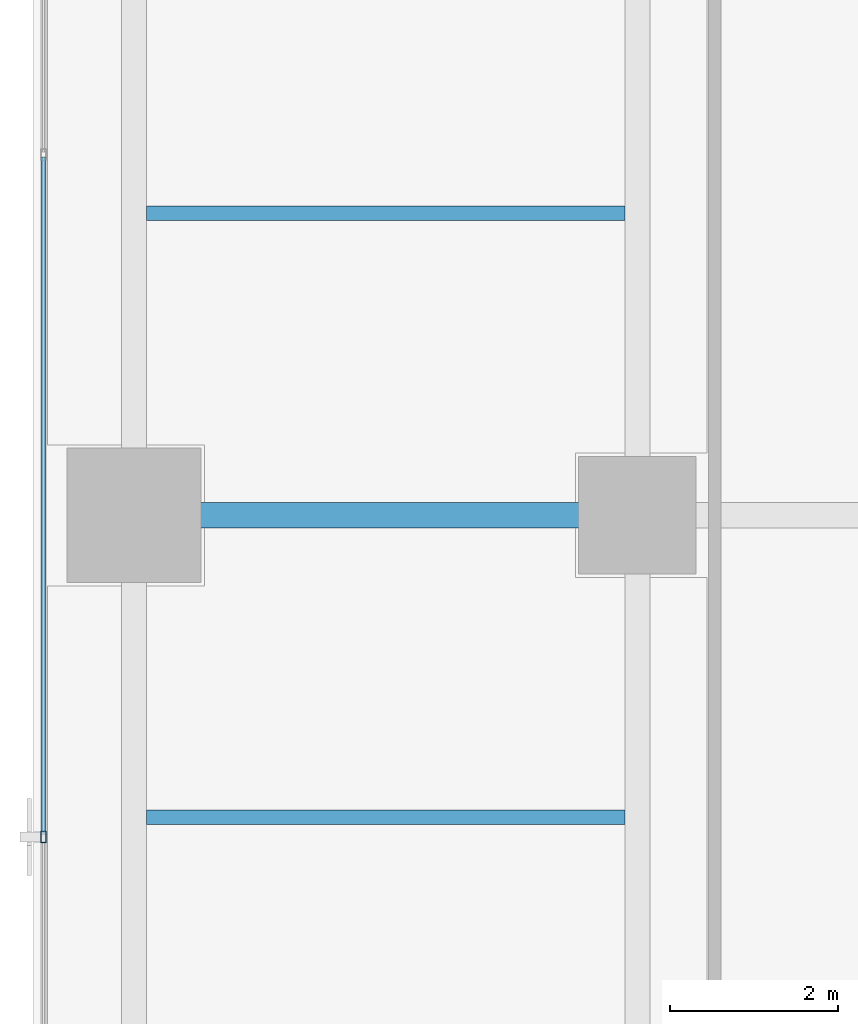
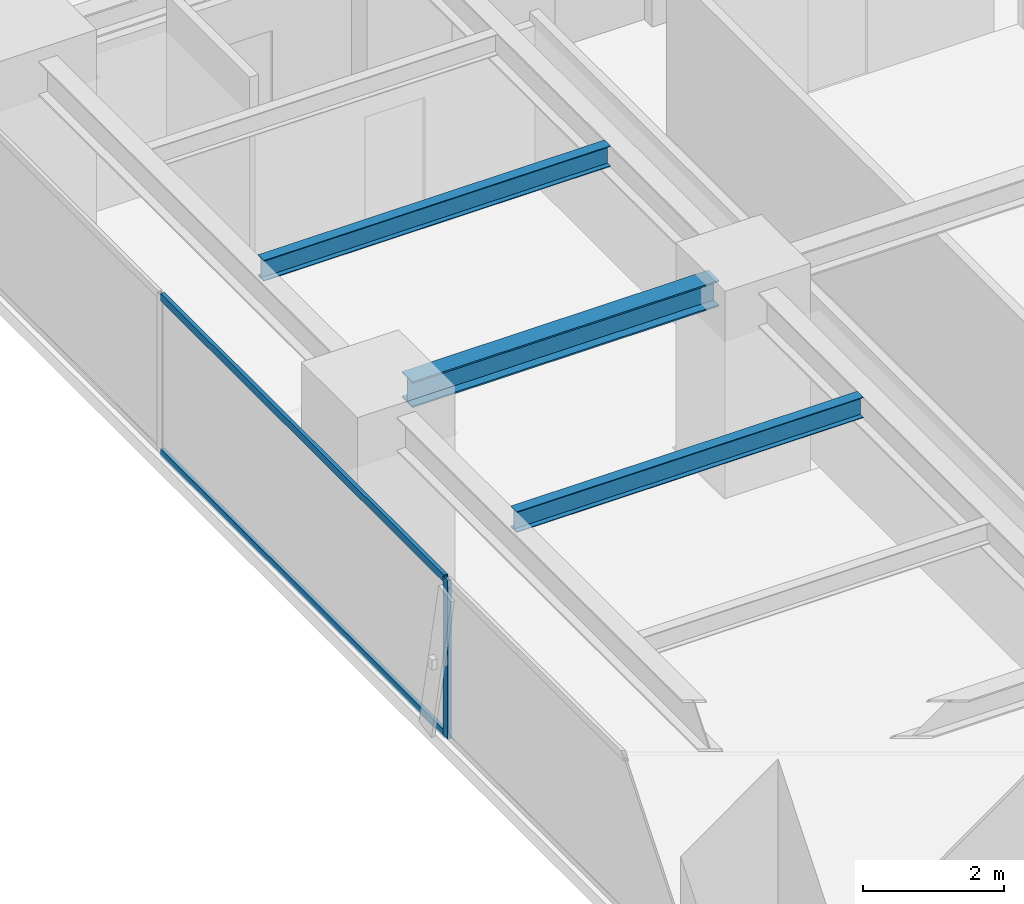
# One storey, part 4 of 29: 3 beams, 3 members, 1 element without a shape of its own.
"""IFC4 building model written with IfcOpenShell, lengths in metres."""

from ifc_helpers import new_model, si_unit, direction, frame, origin, origin_2d, place, context, subcontext, project, spatial, hollow_rectangle, i_section, extrude, source, transform, mapped, material, layer, layer_set, material_profile, profile_set, type_object, element, aggregate, save


model = new_model("IFC4")

# Units and contexts
model_context = context("Model", 3, precision=1e-05, world=origin(), true_north=direction((0.0, 1.0)))
body_context = subcontext(model_context, "Body", "Model", "MODEL_VIEW")
ifc_project = project(units=[si_unit("LENGTHUNIT", "METRE"), si_unit("AREAUNIT", "SQUARE_METRE"), si_unit("VOLUMEUNIT", "CUBIC_METRE"), si_unit("PLANEANGLEUNIT", "RADIAN"), si_unit("MASSUNIT", "GRAM", prefix="KILO")], contexts=[model_context])

# Site, building, storey
site_placement = place(None, origin())
site = spatial("IfcSite", under=ifc_project, at=site_placement, CompositionType="ELEMENT")
building_placement = place(site_placement, origin())
building = spatial("IfcBuilding", under=site, at=building_placement, Name="Sumidabori Civic Tower", CompositionType="ELEMENT")
storey_placement = place(building_placement, frame((0.0, 0.0, 214.39990234375)))
storey = spatial("IfcBuildingStorey", under=building, at=storey_placement, Name="L55", CompositionType="ELEMENT", Elevation=214.39990234375)

# Beams
ifc_material_1 = material(Name="Steel SN490", Category="steel")
ifc_material_profile_1 = material_profile(ifc_material_1, i_section(OverallWidth=0.169921875, OverallDepth=0.360107421875, WebThickness=0.008056640625, FlangeThickness=0.0126953125, at=origin_2d()), Name="IPE 360")
ifc_profile_set_1 = profile_set([ifc_material_profile_1], Name="Steel SN490")
beam_type_1 = type_object("IfcBeamType", Name="BM-JST-360", PredefinedType="JOIST", material=ifc_profile_set_1)
shared_shape_1 = source(origin(), body_context, "Body", "SweptSolid", [
    extrude(i_section(OverallWidth=0.169921875, OverallDepth=0.360107421875, WebThickness=0.008056640625, FlangeThickness=0.0126953125, at=origin_2d()), origin(), (0.0, 0.0, 1.0), 5.699951171875),
])
for number, where, z_axis, x_axis, name in (
    (1, (-22.64990234375, -3.60009765625, 3.2001953125), (1.0, 0.0, 0.0), (0.0, 1.0, 0.0), "Outer Bay Floor Joist L55 JSTO-27"),
    (2, (-22.64990234375, 3.60009765625, 3.2001953125), (1.0, 0.0, 0.0), (0.0, 1.0, 0.0), "Outer Bay Floor Joist L55 JSTO-29"),
):
    element("IfcBeam", number, at=place(storey_placement, frame(where, z_axis=z_axis, x_axis=x_axis)), inside=storey, type_object=beam_type_1, Name=name, PredefinedType="JOIST", context=body_context, shape_type="MappedRepresentation", body=[
        mapped(shared_shape_1, transform((0.0, 0.0, 0.0), x_axis=(1.0, 0.0, 0.0), y_axis=(0.0, 1.0, 0.0), z_axis=(0.0, 0.0, 1.0), scale=1.0)),
    ])
ifc_material_profile_2 = material_profile(ifc_material_1, i_section(OverallWidth=0.300048828125, OverallDepth=0.449951171875, WebThickness=0.013916015625, FlangeThickness=0.02587890625, at=origin_2d()), Name="HE 450 B")
ifc_profile_set_2 = profile_set([ifc_material_profile_2], Name="Steel SN490")
beam_type_2 = type_object("IfcBeamType", Name="BM-GIRD-450", PredefinedType="BEAM", material=ifc_profile_set_2)
shared_shape_2 = source(origin(), body_context, "Body", "SweptSolid", [
    extrude(i_section(OverallWidth=0.300048828125, OverallDepth=0.449951171875, WebThickness=0.013916015625, FlangeThickness=0.02587890625, at=origin_2d()), origin(), (0.0, 0.0, 1.0), 5.0400390625),
])
beam_placement = place(storey_placement, frame((-22.320068359375, 0.0, 3.155029296875), z_axis=(1.0, 0.0, 0.0), x_axis=(0.0, 1.0, 0.0)))
element("IfcBeam", 3, at=beam_placement, inside=storey, type_object=beam_type_2, Name="Primary Girder L55 GX-05", PredefinedType="BEAM", context=body_context, shape_type="MappedRepresentation", body=[
    mapped(shared_shape_2, transform((0.0, 0.0, 0.0), x_axis=(1.0, 0.0, 0.0), y_axis=(0.0, 1.0, 0.0), z_axis=(0.0, 0.0, 1.0), scale=1.0)),
])

# Curtain wall, members
ifc_material_2 = material(Name="Anodised Bronze Aluminium AW-6063-T6", Category="aluminium")
ifc_layer = layer(ifc_material_2, 0.179931640625, Name="Anodised Bronze Aluminium AW-6063-T6")
ifc_layer_set = layer_set([ifc_layer], Name="Anodised Bronze Aluminium AW-6063-T6")
curtain_wall_type = type_object("IfcCurtainWallType", Name="CW-SYS-5", PredefinedType="NOTDEFINED", material=ifc_layer_set)
curtain_wall_placement = place(storey_placement, origin())
curtain_wall = element("IfcCurtainWall", 4, at=curtain_wall_placement, inside=storey, type_object=curtain_wall_type, Name="Curtain Wall CW:L55:R16", PredefinedType="NOTDEFINED")
ifc_material_profile_3 = material_profile(ifc_material_2, hollow_rectangle(XDim=0.06005859375, YDim=0.139892578125, WallThickness=0.0048828125, at=origin_2d()), Name="ALU MULLION 140x60")
ifc_profile_set_3 = profile_set([ifc_material_profile_3], Name="Anodised Bronze Aluminium AW-6063-T6")
member_type_1 = type_object("IfcMemberType", Name="CW-MUL-140", PredefinedType="MULLION", material=ifc_profile_set_3)
shared_shape_3 = source(origin(), body_context, "Body", "SweptSolid", [
    extrude(hollow_rectangle(XDim=0.06005859375, YDim=0.139892578125, WallThickness=0.0048828125, at=origin_2d()), origin(), (0.0, 0.0, 1.0), 2.760009765625),
])
member_1_placement = place(storey_placement, frame((-23.8798828125, -3.8349609375, 0.0), z_axis=(0.0, 0.0, 1.0), x_axis=(1.0, 0.0, 0.0)))
member_1 = element("IfcMember", 5, at=member_1_placement, type_object=member_type_1, Name="CW-5 mullion 4", PredefinedType="MULLION", context=body_context, shape_type="MappedRepresentation", body=[
    mapped(shared_shape_3, transform((0.0, 0.0, 0.0), x_axis=(1.0, 0.0, 0.0), y_axis=(0.0, 1.0, 0.0), z_axis=(0.0, 0.0, 1.0), scale=1.0)),
])
ifc_material_profile_4 = material_profile(ifc_material_2, hollow_rectangle(XDim=0.06005859375, YDim=0.1298828125, WallThickness=0.0048828125, at=origin_2d()), Name="ALU TRANSOM 130x60")
ifc_profile_set_4 = profile_set([ifc_material_profile_4], Name="Anodised Bronze Aluminium AW-6063-T6")
member_type_2 = type_object("IfcMemberType", Name="CW-TRN-130", PredefinedType="USERDEFINED", material=ifc_profile_set_4)
shared_shape_4 = source(origin(), body_context, "Body", "SweptSolid", [
    extrude(hollow_rectangle(XDim=0.06005859375, YDim=0.1298828125, WallThickness=0.0048828125, at=origin_2d()), origin(), (0.0, 0.0, 1.0), 8.074951171875),
])
member_2_placement = place(storey_placement, frame((-23.8798828125, 4.27001953125, 0.030029296875), z_axis=(0.0, -1.0, 0.0), x_axis=(1.0, 0.0, 0.0)))
member_2 = element("IfcMember", 6, at=member_2_placement, type_object=member_type_2, Name="CW-5 transom 3.1", ObjectType="TRANSOM", PredefinedType="USERDEFINED", context=body_context, shape_type="MappedRepresentation", body=[
    mapped(shared_shape_4, transform((0.0, 0.0, 0.0), x_axis=(1.0, 0.0, 0.0), y_axis=(0.0, 1.0, 0.0), z_axis=(0.0, 0.0, 1.0), scale=1.0)),
])
member_3_placement = place(storey_placement, frame((-23.8798828125, 4.27001953125, 2.72998046875), z_axis=(0.0, -1.0, 0.0), x_axis=(1.0, 0.0, 0.0)))
member_3 = element("IfcMember", 7, at=member_3_placement, type_object=member_type_2, Name="CW-5 transom 3.2", ObjectType="TRANSOM", PredefinedType="USERDEFINED", context=body_context, shape_type="MappedRepresentation", body=[
    mapped(shared_shape_4, transform((0.0, 0.0, 0.0), x_axis=(1.0, 0.0, 0.0), y_axis=(0.0, 1.0, 0.0), z_axis=(0.0, 0.0, 1.0), scale=1.0)),
])
aggregate(curtain_wall, [member_1, member_2, member_3])

save(model, "model.ifc")
